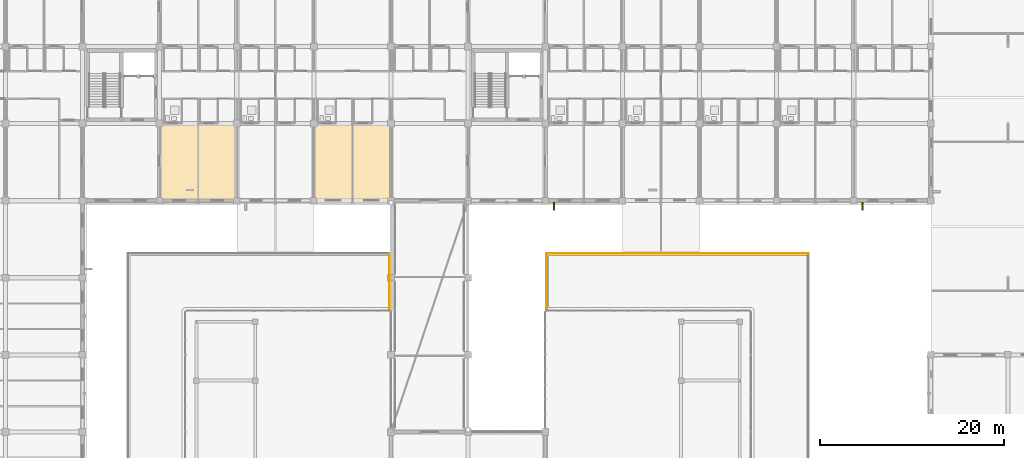
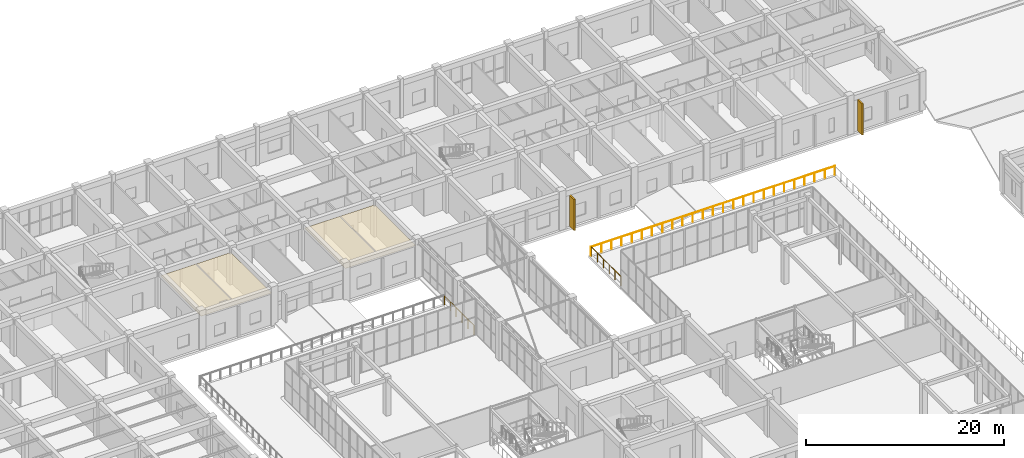
# One storey, part 154 of 158: 3 railings, 2 coverings, 2 shading devices.
"""IFC4 building model written with IfcOpenShell, lengths in metres."""

from ifc_helpers import new_model, si_unit, direction, frame, origin, origin_2d, place, context, subcontext, project, spatial, polyline, rectangle, circle, outline, extrude, material, layer, layer_set, type_object, element, save


model = new_model("IFC4")

# Units and contexts
model_context = context("Model", 3, precision=1e-05, world=origin(), true_north=direction((0.0, 1.0)))
body_context = subcontext(model_context, "Body", "Model", "MODEL_VIEW")
ifc_project = project(units=[si_unit("LENGTHUNIT", "METRE"), si_unit("AREAUNIT", "SQUARE_METRE"), si_unit("VOLUMEUNIT", "CUBIC_METRE"), si_unit("PLANEANGLEUNIT", "RADIAN"), si_unit("MASSUNIT", "GRAM", prefix="KILO")], contexts=[model_context])

# Site, building, storey
site_placement = place(None, origin())
site = spatial("IfcSite", under=ifc_project, at=site_placement, CompositionType="ELEMENT")
building_placement = place(site_placement, origin())
building = spatial("IfcBuilding", under=site, at=building_placement, Name="Trelvath General Hospital", CompositionType="ELEMENT")
storey_placement = place(building_placement, frame((0.0, 0.0, 8.10009765625)))
storey = spatial("IfcBuildingStorey", under=building, at=storey_placement, Name="L02", CompositionType="ELEMENT", Elevation=8.10009765625)

# Shading devices
ifc_material_1 = material(Name="Precast concrete C40/50", Category="concrete")
shading_device_type = type_object("IfcShadingDeviceType", Name="BriseSoleil PrecastFin900", PredefinedType="JALOUSIE", material=ifc_material_1)
for number, where, z_axis, x_axis, name in (
    (1, (93.3701171875, 91.794921875, 0.0), (0.0, 0.0, 1.0), (0.0, -1.0, 0.0), "Solar Brise-Soleil Screen L02-42"),
    (2, (126.97021484375, 91.794921875, 0.0), (0.0, 0.0, 1.0), (0.0, -1.0, 0.0), "Solar Brise-Soleil Screen L02-45"),
):
    element("IfcShadingDevice", number, at=place(storey_placement, frame(where, z_axis=z_axis, x_axis=x_axis)), inside=storey, type_object=shading_device_type, Name=name, PredefinedType="JALOUSIE", context=body_context, shape_type="SweptSolid", body=[
        extrude(rectangle(XDim=0.89990234375, YDim=0.179931640625, at=origin_2d()), origin(), (0.0, 0.0, 1.0), 3.860107421875),
    ])

# Coverings
ifc_material_2 = material(Name="Hygienic acoustic ceiling tile")
ifc_layer = layer(ifc_material_2, 0.02490234375)
ifc_layer_set = layer_set([ifc_layer], Name="Hygienic acoustic ceiling tile")
covering_type = type_object("IfcCoveringType", Name="Ceiling ClinicalAcoustic", PredefinedType="CEILING", material=ifc_layer_set)
covering_1_placement = place(storey_placement, frame((0.0, 0.0, 3.719970703125)))
element("IfcCovering", 3, at=covering_1_placement, inside=storey, type_object=covering_type, Name="Clinical Acoustic Ceiling L02-33", PredefinedType="CEILING", context=body_context, shape_type="SweptSolid", body=[
    extrude(outline(polyline([(50.5, 92.5), (58.699951171875, 92.5), (58.699951171875, 100.719970703125), (50.5, 100.719970703125), (50.5, 92.5)])), origin(), (0.0, 0.0, 1.0), 0.02490234375),
])
covering_2_placement = place(storey_placement, frame((0.0, 0.0, 3.719970703125)))
element("IfcCovering", 4, at=covering_2_placement, inside=storey, type_object=covering_type, Name="Clinical Acoustic Ceiling L02-34", PredefinedType="CEILING", context=body_context, shape_type="SweptSolid", body=[
    extrude(outline(polyline([(67.300048828125, 92.5), (75.5, 92.5), (75.5, 100.719970703125), (67.300048828125, 100.719970703125), (67.300048828125, 92.5)])), origin(), (0.0, 0.0, 1.0), 0.02490234375),
])

# Railings
ifc_material_3 = material(Name="Architectural painted steel", Category="steel")
railing_type = type_object("IfcRailingType", Name="Guardrail Terrace1150", PredefinedType="GUARDRAIL", material=ifc_material_3)
railing_1_placement = place(storey_placement, frame((75.419921875, 80.580078125, 0.0)))
element("IfcRailing", 5, at=railing_1_placement, inside=storey, type_object=railing_type, Name="Cube Terrace Guardrail TERR-CW-U2 5 23", PredefinedType="GUARDRAIL", context=body_context, shape_type="SweptSolid", body=[
    extrude(circle(Radius=0.02392578125, at=origin_2d()), frame((0.0, 0.0, 1.1259765625), z_axis=(0.0, 1.0, 0.0), x_axis=(-1.0, 0.0, 0.0)), (0.0, 0.0, 1.0), 5.97998046875),
    extrude(circle(Radius=0.02099609375, at=origin_2d()), origin(), (0.0, 0.0, 1.0), 1.099853515625),
    extrude(circle(Radius=0.02099609375, at=origin_2d()), frame((0.0, 1.196044921875, 0.0)), (0.0, 0.0, 1.0), 1.099853515625),
    extrude(circle(Radius=0.02099609375, at=origin_2d()), frame((0.0, 2.39208984375, 0.0)), (0.0, 0.0, 1.0), 1.099853515625),
    extrude(circle(Radius=0.02099609375, at=origin_2d()), frame((0.0, 3.587890625, 0.0)), (0.0, 0.0, 1.0), 1.099853515625),
    extrude(circle(Radius=0.02099609375, at=origin_2d()), frame((0.0, 4.783935546875, 0.0)), (0.0, 0.0, 1.0), 1.099853515625),
    extrude(circle(Radius=0.02099609375, at=origin_2d()), frame((0.0, 5.97998046875, 0.0)), (0.0, 0.0, 1.0), 1.099853515625),
])
railing_2_placement = place(storey_placement, frame((92.580078125, 86.6201171875, 0.0)))
element("IfcRailing", 6, at=railing_2_placement, inside=storey, type_object=railing_type, Name="Cube Terrace Guardrail TERR-CE-U2 3 26", PredefinedType="GUARDRAIL", context=body_context, shape_type="SweptSolid", body=[
    extrude(circle(Radius=0.02392578125, at=origin_2d()), frame((0.0, 0.0, 1.1259765625), z_axis=(1.0, 0.0, 0.0), x_axis=(0.0, 1.0, 0.0)), (0.0, 0.0, 1.0), 28.43994140625),
    extrude(circle(Radius=0.02099609375, at=origin_2d()), origin(), (0.0, 0.0, 1.0), 1.099853515625),
    extrude(circle(Radius=0.02099609375, at=origin_2d()), frame((1.18505859375, 0.0, 0.0)), (0.0, 0.0, 1.0), 1.099853515625),
    extrude(circle(Radius=0.02099609375, at=origin_2d()), frame((2.3701171875, 0.0, 0.0)), (0.0, 0.0, 1.0), 1.099853515625),
    extrude(circle(Radius=0.02099609375, at=origin_2d()), frame((3.554931640625, 0.0, 0.0)), (0.0, 0.0, 1.0), 1.099853515625),
    extrude(circle(Radius=0.02099609375, at=origin_2d()), frame((4.739990234375, 0.0, 0.0)), (0.0, 0.0, 1.0), 1.099853515625),
    extrude(circle(Radius=0.02099609375, at=origin_2d()), frame((5.925048828125, 0.0, 0.0)), (0.0, 0.0, 1.0), 1.099853515625),
    extrude(circle(Radius=0.02099609375, at=origin_2d()), frame((7.10986328125, 0.0, 0.0)), (0.0, 0.0, 1.0), 1.099853515625),
    extrude(circle(Radius=0.02099609375, at=origin_2d()), frame((8.294921875, 0.0, 0.0)), (0.0, 0.0, 1.0), 1.099853515625),
    extrude(circle(Radius=0.02099609375, at=origin_2d()), frame((9.47998046875, 0.0, 0.0)), (0.0, 0.0, 1.0), 1.099853515625),
    extrude(circle(Radius=0.02099609375, at=origin_2d()), frame((10.6650390625, 0.0, 0.0)), (0.0, 0.0, 1.0), 1.099853515625),
    extrude(circle(Radius=0.02099609375, at=origin_2d()), frame((11.85009765625, 0.0, 0.0)), (0.0, 0.0, 1.0), 1.099853515625),
    extrude(circle(Radius=0.02099609375, at=origin_2d()), frame((13.034912109375, 0.0, 0.0)), (0.0, 0.0, 1.0), 1.099853515625),
    extrude(circle(Radius=0.02099609375, at=origin_2d()), frame((14.219970703125, 0.0, 0.0)), (0.0, 0.0, 1.0), 1.099853515625),
    extrude(circle(Radius=0.02099609375, at=origin_2d()), frame((15.405029296875, 0.0, 0.0)), (0.0, 0.0, 1.0), 1.099853515625),
    extrude(circle(Radius=0.02099609375, at=origin_2d()), frame((16.58984375, 0.0, 0.0)), (0.0, 0.0, 1.0), 1.099853515625),
    extrude(circle(Radius=0.02099609375, at=origin_2d()), frame((17.77490234375, 0.0, 0.0)), (0.0, 0.0, 1.0), 1.099853515625),
    extrude(circle(Radius=0.02099609375, at=origin_2d()), frame((18.9599609375, 0.0, 0.0)), (0.0, 0.0, 1.0), 1.099853515625),
    extrude(circle(Radius=0.02099609375, at=origin_2d()), frame((20.14501953125, 0.0, 0.0)), (0.0, 0.0, 1.0), 1.099853515625),
    extrude(circle(Radius=0.02099609375, at=origin_2d()), frame((21.330078125, 0.0, 0.0)), (0.0, 0.0, 1.0), 1.099853515625),
    extrude(circle(Radius=0.02099609375, at=origin_2d()), frame((22.514892578125, 0.0, 0.0)), (0.0, 0.0, 1.0), 1.099853515625),
    extrude(circle(Radius=0.02099609375, at=origin_2d()), frame((23.699951171875, 0.0, 0.0)), (0.0, 0.0, 1.0), 1.099853515625),
    extrude(circle(Radius=0.02099609375, at=origin_2d()), frame((24.885009765625, 0.0, 0.0)), (0.0, 0.0, 1.0), 1.099853515625),
    extrude(circle(Radius=0.02099609375, at=origin_2d()), frame((26.06982421875, 0.0, 0.0)), (0.0, 0.0, 1.0), 1.099853515625),
    extrude(circle(Radius=0.02099609375, at=origin_2d()), frame((27.2548828125, 0.0, 0.0)), (0.0, 0.0, 1.0), 1.099853515625),
    extrude(circle(Radius=0.02099609375, at=origin_2d()), frame((28.43994140625, 0.0, 0.0)), (0.0, 0.0, 1.0), 1.099853515625),
])
railing_3_placement = place(storey_placement, frame((92.580078125, 80.580078125, 0.0)))
element("IfcRailing", 7, at=railing_3_placement, inside=storey, type_object=railing_type, Name="Cube Terrace Guardrail TERR-CE-U2 5 28", PredefinedType="GUARDRAIL", context=body_context, shape_type="SweptSolid", body=[
    extrude(circle(Radius=0.02392578125, at=origin_2d()), frame((0.0, 0.0, 1.1259765625), z_axis=(0.0, 1.0, 0.0), x_axis=(-1.0, 0.0, 0.0)), (0.0, 0.0, 1.0), 5.97998046875),
    extrude(circle(Radius=0.02099609375, at=origin_2d()), origin(), (0.0, 0.0, 1.0), 1.099853515625),
    extrude(circle(Radius=0.02099609375, at=origin_2d()), frame((0.0, 1.196044921875, 0.0)), (0.0, 0.0, 1.0), 1.099853515625),
    extrude(circle(Radius=0.02099609375, at=origin_2d()), frame((0.0, 2.39208984375, 0.0)), (0.0, 0.0, 1.0), 1.099853515625),
    extrude(circle(Radius=0.02099609375, at=origin_2d()), frame((0.0, 3.587890625, 0.0)), (0.0, 0.0, 1.0), 1.099853515625),
    extrude(circle(Radius=0.02099609375, at=origin_2d()), frame((0.0, 4.783935546875, 0.0)), (0.0, 0.0, 1.0), 1.099853515625),
    extrude(circle(Radius=0.02099609375, at=origin_2d()), frame((0.0, 5.97998046875, 0.0)), (0.0, 0.0, 1.0), 1.099853515625),
])

save(model, "model.ifc")
